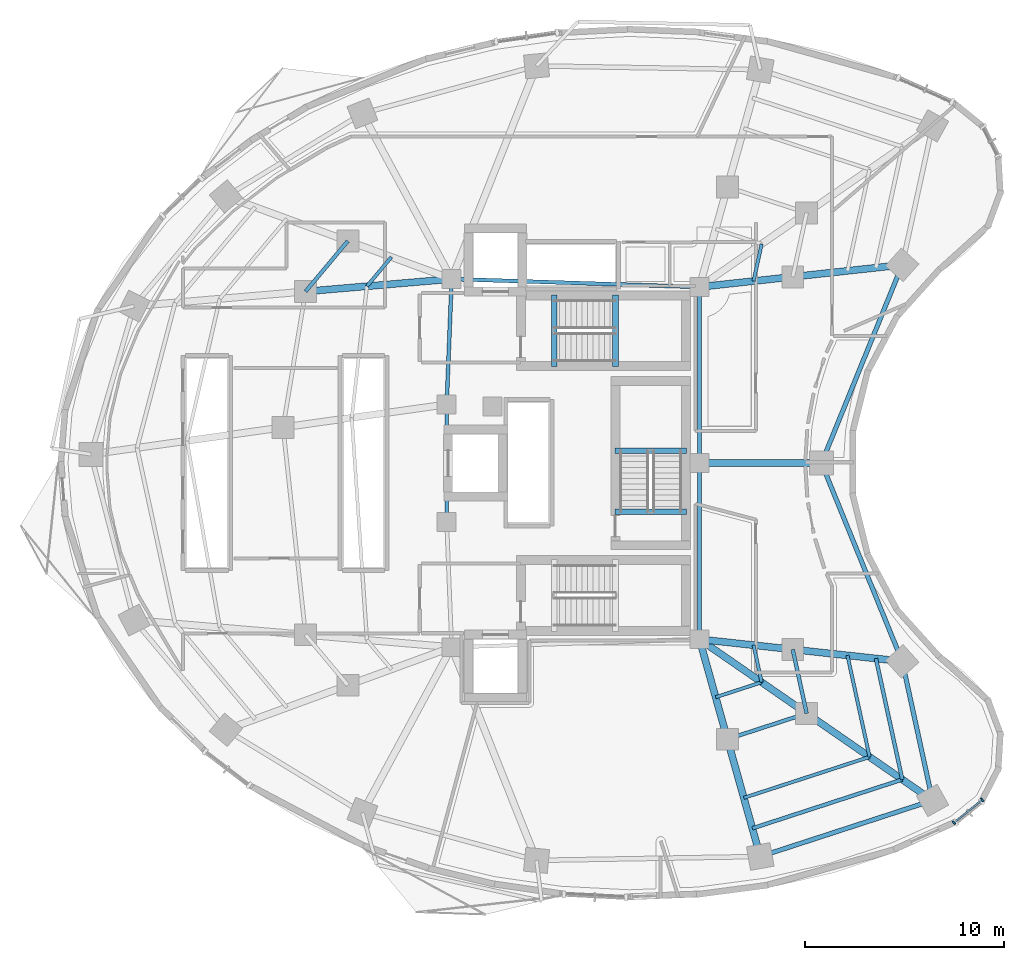
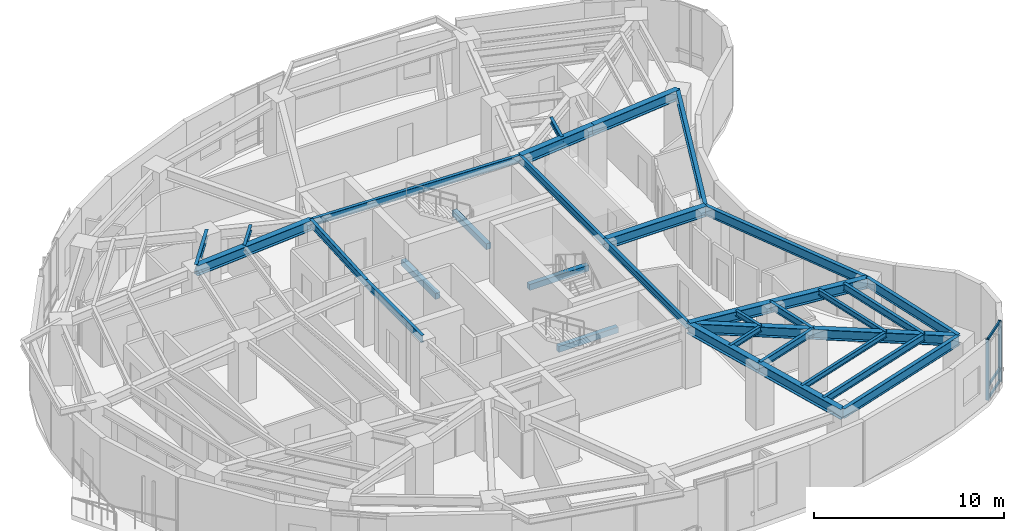
# One storey, part 3 of 13: 34 beams, 5 members, 1 element without a shape of its own.
"""IFC4 building model written with IfcOpenShell, lengths in metres."""

from ifc_helpers import new_model, si_unit, direction, frame, origin, origin_2d, place, context, subcontext, project, spatial, rectangle, i_section, extrude, material, layer, layer_set, material_profile, profile_set, type_object, element, aggregate, save


model = new_model("IFC4")

# Units and contexts
model_context = context("Model", 3, precision=1e-05, world=origin(), true_north=direction((0.0, 1.0)))
body_context = subcontext(model_context, "Body", "Model", "MODEL_VIEW")
ifc_project = project(units=[si_unit("LENGTHUNIT", "METRE"), si_unit("AREAUNIT", "SQUARE_METRE"), si_unit("VOLUMEUNIT", "CUBIC_METRE"), si_unit("PLANEANGLEUNIT", "RADIAN"), si_unit("MASSUNIT", "GRAM", prefix="KILO")], contexts=[model_context])

# Site, building, storey
site_placement = place(None, origin())
site = spatial("IfcSite", under=ifc_project, at=site_placement, CompositionType="ELEMENT")
building_placement = place(site_placement, origin())
building = spatial("IfcBuilding", under=site, at=building_placement, Name="Korentha Bioscience Tower", CompositionType="ELEMENT")
storey_placement = place(building_placement, frame((0.0, 0.0, 106.800048828125)))
storey = spatial("IfcBuildingStorey", under=building, at=storey_placement, Name="L24", CompositionType="ELEMENT", Elevation=106.800048828125)

# Beams
ifc_material_1 = material(Name="Concrete C50", Category="concrete")
ifc_material_profile_1 = material_profile(ifc_material_1, rectangle(XDim=0.280029296875, YDim=0.3798828125, at=origin_2d()), Name="Concrete C50")
ifc_profile_set_1 = profile_set([ifc_material_profile_1], Name="Concrete C50 (ST-HB380)")
beam_type_1 = type_object("IfcBeamType", Name="Concrete Stair Header Beam RC 280x380", PredefinedType="BEAM", material=ifc_profile_set_1)
for number, where, z_axis, x_axis, name in (
    (1, (30.25, 31.85009765625, -0.18994140625), (0.0, 1.0, 0.0), (-1.0, 0.0, 0.0), "L24 ST-1 Concrete Stair Header Beam"),
    (2, (33.330078125, 31.85009765625, 1.909912109375), (0.0, 1.0, 0.0), (-1.0, 0.0, 0.0), "L24 ST-1 Half-Landing Header Beam 1"),
    (3, (36.89990234375, 24.550048828125, -0.18994140625), (-1.0, 0.0, 0.0), (0.0, -1.0, 0.0), "L24 ST-3 Concrete Stair Header Beam"),
    (4, (36.89990234375, 27.6298828125, 1.909912109375), (-1.0, 0.0, 0.0), (0.0, -1.0, 0.0), "L24 ST-3 Half-Landing Header Beam 1"),
):
    element("IfcBeam", number, at=place(storey_placement, frame(where, z_axis=z_axis, x_axis=x_axis)), inside=storey, type_object=beam_type_1, Name=name, PredefinedType="BEAM", context=body_context, shape_type="SweptSolid", body=[
        extrude(rectangle(XDim=0.280029296875, YDim=0.3798828125, at=origin_2d()), origin(), (0.0, 0.0, 1.0), 3.599853515625),
    ])
ifc_material_2 = material(Name="Steel S355", Category="steel")
ifc_material_profile_2 = material_profile(ifc_material_2, i_section(OverallWidth=0.18994140625, OverallDepth=0.45703125, WebThickness=0.009033203125, FlangeThickness=0.014404296875, at=origin_2d()), Name="Steel S355")
ifc_profile_set_2 = profile_set([ifc_material_profile_2], Name="Steel S355 (MB-460)")
beam_type_2 = type_object("IfcBeamType", Name="Mid-Ring Tie Girder W460x74", PredefinedType="BEAM", material=ifc_profile_set_2)
beam_1_placement = place(storey_placement, frame((19.882568359375, 38.158935546875, 3.67138671875), z_axis=(-0.642121371708, -0.766602989817, 0.0), x_axis=(0.766602989817, -0.642121371708, 0.0)))
element("IfcBeam", 5, at=beam_1_placement, inside=storey, type_object=beam_type_2, Name="L24 Mid-Ring Tie Girder 05", PredefinedType="BEAM", context=body_context, shape_type="SweptSolid", body=[
    extrude(i_section(OverallWidth=0.18994140625, OverallDepth=0.45703125, WebThickness=0.009033203125, FlangeThickness=0.014404296875, at=origin_2d()), origin(), (0.0, 0.0, 1.0), 3.306640625),
])
beam_2_placement = place(storey_placement, frame((38.954833984375, 13.129150390625, 3.67138671875), z_axis=(0.95087582253, 0.309572560361, 0.0), x_axis=(-0.309572560361, 0.95087582253, 0.0)))
element("IfcBeam", 6, at=beam_2_placement, inside=storey, type_object=beam_type_2, Name="L24 Mid-Ring Tie Girder 12", PredefinedType="BEAM", context=body_context, shape_type="SweptSolid", body=[
    extrude(i_section(OverallWidth=0.18994140625, OverallDepth=0.45703125, WebThickness=0.009033203125, FlangeThickness=0.014404296875, at=origin_2d()), origin(), (0.0, 0.0, 1.0), 4.186767578125),
])
beam_3_placement = place(storey_placement, frame((42.93603515625, 14.42529296875, 3.67138671875), z_axis=(-0.212928773299, 0.977067724112, 0.0), x_axis=(-0.977067724112, -0.212928773299, 0.0)))
element("IfcBeam", 7, at=beam_3_placement, inside=storey, type_object=beam_type_2, Name="L24 Mid-Ring Tie Girder 13", PredefinedType="BEAM", context=body_context, shape_type="SweptSolid", body=[
    extrude(i_section(OverallWidth=0.18994140625, OverallDepth=0.45703125, WebThickness=0.009033203125, FlangeThickness=0.014404296875, at=origin_2d()), origin(), (0.0, 0.0, 1.0), 3.28955078125),
])
beam_4_placement = place(storey_placement, frame((37.550048828125, 35.85009765625, 3.67138671875), z_axis=(-0.999484526071, 0.032104238723, 0.0), x_axis=(-0.032104238723, -0.999484526071, 0.0)))
element("IfcBeam", 8, at=beam_4_placement, inside=storey, type_object=beam_type_2, Name="L24 Core Ring Tie Girder 01", PredefinedType="BEAM", context=body_context, shape_type="SweptSolid", body=[
    extrude(i_section(OverallWidth=0.18994140625, OverallDepth=0.45703125, WebThickness=0.009033203125, FlangeThickness=0.014404296875, at=origin_2d()), origin(), (0.0, 0.0, 1.0), 12.456298828125),
])
beam_5_placement = place(storey_placement, frame((25.10009765625, 36.25, 3.67138671875), z_axis=(-0.039651025576, -0.999213588864, 0.0), x_axis=(0.999213588864, -0.039651025576, 0.0)))
element("IfcBeam", 9, at=beam_5_placement, inside=storey, type_object=beam_type_2, Name="L24 Core Ring Tie Girder 02", PredefinedType="BEAM", context=body_context, shape_type="SweptSolid", body=[
    extrude(i_section(OverallWidth=0.18994140625, OverallDepth=0.45703125, WebThickness=0.009033203125, FlangeThickness=0.014404296875, at=origin_2d()), origin(), (0.0, 0.0, 1.0), 6.304931640625),
])
beam_6_placement = place(storey_placement, frame((24.85009765625, 29.949951171875, 3.67138671875), z_axis=(0.0, -1.0, 0.0), x_axis=(1.0, 0.0, 0.0)))
element("IfcBeam", 10, at=beam_6_placement, inside=storey, type_object=beam_type_2, Name="L24 Core Ring Tie Girder 03", PredefinedType="BEAM", context=body_context, shape_type="SweptSolid", body=[
    extrude(i_section(OverallWidth=0.18994140625, OverallDepth=0.45703125, WebThickness=0.009033203125, FlangeThickness=0.014404296875, at=origin_2d()), origin(), (0.0, 0.0, 1.0), 5.89990234375),
])
for number, where, z_axis, x_axis, name in (
    (11, (37.550048828125, 18.14990234375, 3.67138671875), (0.0, 1.0, 0.0), (-1.0, 0.0, 0.0), "L24 Core Ring Tie Girder 06"),
    (12, (37.550048828125, 27.0, 3.67138671875), (0.0, 1.0, 0.0), (-1.0, 0.0, 0.0), "L24 Core Ring Tie Girder 07"),
):
    element("IfcBeam", number, at=place(storey_placement, frame(where, z_axis=z_axis, x_axis=x_axis)), inside=storey, type_object=beam_type_2, Name=name, PredefinedType="BEAM", context=body_context, shape_type="SweptSolid", body=[
        extrude(i_section(OverallWidth=0.18994140625, OverallDepth=0.45703125, WebThickness=0.009033203125, FlangeThickness=0.014404296875, at=origin_2d()), origin(), (0.0, 0.0, 1.0), 8.85009765625),
    ])

# Curtain wall, members
ifc_material_3 = material(Name="Thermally Broken Aluminium Frame", Category="aluminium")
ifc_layer = layer(ifc_material_3, 0.219970703125, Name="Thermally Broken Aluminium Frame")
ifc_layer_set = layer_set([ifc_layer], Name="Thermally Broken Aluminium Frame (CW-T2)")
curtain_wall_type = type_object("IfcCurtainWallType", Name="Solar-Screened Lab Unitised Curtain Wall CW-T2", PredefinedType="USERDEFINED", material=ifc_layer_set)
curtain_wall_placement = place(storey_placement, origin())
curtain_wall = element("IfcCurtainWall", 13, at=curtain_wall_placement, inside=storey, type_object=curtain_wall_type, Name="L24 Curtain Wall 37", ObjectType="UNITISED", PredefinedType="USERDEFINED")
ifc_material_4 = material(Name="Anodised Aluminium 6063-T6", Category="aluminium")
ifc_material_profile_3 = material_profile(ifc_material_4, rectangle(XDim=0.090087890625, YDim=0.199951171875, at=origin_2d()), Name="Anodised Aluminium 6063-T6")
ifc_profile_set_3 = profile_set([ifc_material_profile_3], Name="Anodised Aluminium 6063-T6 (CW-MUL)")
member_type_1 = type_object("IfcMemberType", Name="Mullion RECT 90x200", PredefinedType="MULLION", material=ifc_profile_set_3)
member_1_placement = place(storey_placement, frame((50.337158203125, 8.931884765625, 0.0), z_axis=(0.0, 0.0, 1.0), x_axis=(0.777315301098, 0.629111216463, 0.0)))
member_1 = element("IfcMember", 14, at=member_1_placement, type_object=member_type_1, Name="CW-L24-37 Mullion 1", PredefinedType="MULLION", context=body_context, shape_type="SweptSolid", body=[
    extrude(rectangle(XDim=0.090087890625, YDim=0.199951171875, at=origin_2d()), origin(), (0.0, 0.0, 1.0), 3.89990234375),
])
member_2_placement = place(storey_placement, frame((51.7578125, 10.08154296875, 0.0), z_axis=(0.0, 0.0, 1.0), x_axis=(0.777315301098, 0.629111216463, 0.0)))
member_2 = element("IfcMember", 15, at=member_2_placement, type_object=member_type_1, Name="CW-L24-37 Mullion 2", PredefinedType="MULLION", context=body_context, shape_type="SweptSolid", body=[
    extrude(rectangle(XDim=0.090087890625, YDim=0.199951171875, at=origin_2d()), origin(), (0.0, 0.0, 1.0), 3.89990234375),
])

# Beams
ifc_material_profile_4 = material_profile(ifc_material_2, i_section(OverallWidth=0.22802734375, OverallDepth=0.60791015625, WebThickness=0.01123046875, FlangeThickness=0.017333984375, at=origin_2d()), Name="Steel S355")
ifc_profile_set_4 = profile_set([ifc_material_profile_4], Name="Steel S355 (SB-610)")
beam_type_3 = type_object("IfcBeamType", Name="Perimeter Ring Spandrel Girder W610x113", PredefinedType="SPANDREL", material=ifc_profile_set_4)
beam_7_placement = place(storey_placement, frame((40.604248046875, 7.235107421875, 3.595947265625), z_axis=(0.950867758759, 0.309597327755, 0.0), x_axis=(-0.309597327755, 0.950867758759, 0.0)))
element("IfcBeam", 16, at=beam_7_placement, inside=storey, type_object=beam_type_3, Name="L24 Perimeter Spandrel Girder 12", PredefinedType="SPANDREL", context=body_context, shape_type="SweptSolid", body=[
    extrude(i_section(OverallWidth=0.22802734375, OverallDepth=0.60791015625, WebThickness=0.01123046875, FlangeThickness=0.017333984375, at=origin_2d()), origin(), (0.0, 0.0, 1.0), 9.101806640625),
])
beam_8_placement = place(storey_placement, frame((49.2587890625, 10.052978515625, 3.595947265625), z_axis=(-0.212927102256, 0.977068088275, 0.0), x_axis=(-0.977068088275, -0.212927102256, 0.0)))
element("IfcBeam", 17, at=beam_8_placement, inside=storey, type_object=beam_type_3, Name="L24 Perimeter Spandrel Girder 13", PredefinedType="SPANDREL", context=body_context, shape_type="SweptSolid", body=[
    extrude(i_section(OverallWidth=0.22802734375, OverallDepth=0.60791015625, WebThickness=0.01123046875, FlangeThickness=0.017333984375, at=origin_2d()), origin(), (0.0, 0.0, 1.0), 7.1513671875),
])
for number, where, z_axis, x_axis, name in (
    (18, (47.736083984375, 17.040283203125, 3.595947265625), (-0.37709856037, 0.926173134876, 0.0), (-0.926173134876, -0.37709856037, 0.0), "L24 Perimeter Spandrel Girder 14"),
    (19, (43.680908203125, 27.0, 3.595947265625), (0.37709856037, 0.926173134876, 0.0), (-0.926173134876, 0.37709856037, 0.0), "L24 Perimeter Spandrel Girder 15"),
):
    element("IfcBeam", number, at=place(storey_placement, frame(where, z_axis=z_axis, x_axis=x_axis)), inside=storey, type_object=beam_type_3, Name=name, PredefinedType="SPANDREL", context=body_context, shape_type="SweptSolid", body=[
        extrude(i_section(OverallWidth=0.22802734375, OverallDepth=0.60791015625, WebThickness=0.01123046875, FlangeThickness=0.017333984375, at=origin_2d()), origin(), (0.0, 0.0, 1.0), 10.753662109375),
    ])
ifc_material_profile_5 = material_profile(ifc_material_2, i_section(OverallWidth=0.18994140625, OverallDepth=0.45703125, WebThickness=0.009033203125, FlangeThickness=0.014404296875, at=origin_2d()), Name="Steel S355")
ifc_profile_set_5 = profile_set([ifc_material_profile_5], Name="Steel S355 (RB-460)")
beam_type_4 = type_object("IfcBeamType", Name="Radial Laboratory Beam W460x74", PredefinedType="BEAM", material=ifc_profile_set_5)
beam_9_placement = place(storey_placement, frame((40.20849609375, 8.64990234375, 3.67138671875), z_axis=(0.950866789802, 0.3096003037, 0.0), x_axis=(-0.3096003037, 0.950866789802, 0.0)))
element("IfcBeam", 20, at=beam_9_placement, inside=storey, type_object=beam_type_4, Name="L24 Secondary Floor Beam JSTO-12", PredefinedType="BEAM", context=body_context, shape_type="SweptSolid", body=[
    extrude(i_section(OverallWidth=0.18994140625, OverallDepth=0.45703125, WebThickness=0.009033203125, FlangeThickness=0.014404296875, at=origin_2d()), origin(), (0.0, 0.0, 1.0), 7.921875),
])
beam_10_placement = place(storey_placement, frame((47.7412109375, 11.1025390625, 3.67138671875), z_axis=(-0.21290837934, 0.977072168269, 0.0), x_axis=(-0.977072168269, -0.21290837934, 0.0)))
element("IfcBeam", 21, at=beam_10_placement, inside=storey, type_object=beam_type_4, Name="L24 Secondary Floor Beam JSTO-13", PredefinedType="BEAM", context=body_context, shape_type="SweptSolid", body=[
    extrude(i_section(OverallWidth=0.18994140625, OverallDepth=0.45703125, WebThickness=0.009033203125, FlangeThickness=0.014404296875, at=origin_2d()), origin(), (0.0, 0.0, 1.0), 6.224365234375),
])
ifc_material_profile_6 = material_profile(ifc_material_2, i_section(OverallWidth=0.35009765625, OverallDepth=0.64990234375, WebThickness=0.01611328125, FlangeThickness=0.02490234375, at=origin_2d()), Name="Steel S355")
ifc_profile_set_6 = profile_set([ifc_material_profile_6], Name="Steel S355 (RB-650)")
beam_type_5 = type_object("IfcBeamType", Name="Radial Laboratory Girder CVS 650x208", PredefinedType="BEAM", material=ifc_profile_set_6)
beam_11_placement = place(storey_placement, frame((25.10009765625, 36.25, 3.574951171875), z_axis=(-0.996383934197, -0.084965026183, 0.0), x_axis=(0.084965026183, -0.996383934197, 0.0)))
element("IfcBeam", 22, at=beam_11_placement, inside=storey, type_object=beam_type_5, Name="L24 Inner Radial Girder 06", PredefinedType="BEAM", context=body_context, shape_type="SweptSolid", body=[
    extrude(i_section(OverallWidth=0.35009765625, OverallDepth=0.64990234375, WebThickness=0.01611328125, FlangeThickness=0.02490234375, at=origin_2d()), origin(), (0.0, 0.0, 1.0), 7.367431640625),
])
beam_12_placement = place(storey_placement, frame((37.550048828125, 18.14990234375, 3.574951171875), z_axis=(0.269447542125, -0.96301506844, 0.0), x_axis=(0.96301506844, 0.269447542125, 0.0)))
element("IfcBeam", 23, at=beam_12_placement, inside=storey, type_object=beam_type_5, Name="L24 Inner Radial Girder 12", PredefinedType="BEAM", context=body_context, shape_type="SweptSolid", body=[
    extrude(i_section(OverallWidth=0.35009765625, OverallDepth=0.64990234375, WebThickness=0.01611328125, FlangeThickness=0.02490234375, at=origin_2d()), origin(), (0.0, 0.0, 1.0), 5.213623046875),
])
beam_13_placement = place(storey_placement, frame((38.954833984375, 13.129150390625, 3.574951171875), z_axis=(0.269490843458, -0.963002951861, 0.0), x_axis=(0.963002951861, 0.269490843458, 0.0)))
element("IfcBeam", 24, at=beam_13_placement, inside=storey, type_object=beam_type_5, Name="L24 Outer Radial Girder 12", PredefinedType="BEAM", context=body_context, shape_type="SweptSolid", body=[
    extrude(i_section(OverallWidth=0.35009765625, OverallDepth=0.64990234375, WebThickness=0.01611328125, FlangeThickness=0.02490234375, at=origin_2d()), origin(), (0.0, 0.0, 1.0), 6.120361328125),
])
beam_14_placement = place(storey_placement, frame((37.550048828125, 18.14990234375, 3.574951171875), z_axis=(0.822488699387, -0.568781451333, 0.0), x_axis=(0.568781451333, 0.822488699387, 0.0)))
element("IfcBeam", 25, at=beam_14_placement, inside=storey, type_object=beam_type_5, Name="L24 Inner Radial Girder 13", PredefinedType="BEAM", context=body_context, shape_type="SweptSolid", body=[
    extrude(i_section(OverallWidth=0.35009765625, OverallDepth=0.64990234375, WebThickness=0.01611328125, FlangeThickness=0.02490234375, at=origin_2d()), origin(), (0.0, 0.0, 1.0), 6.54833984375),
])
beam_15_placement = place(storey_placement, frame((42.93603515625, 14.42529296875, 3.574951171875), z_axis=(0.822495056204, -0.568772258922, 0.0), x_axis=(0.568772258922, 0.822495056204, 0.0)))
element("IfcBeam", 26, at=beam_15_placement, inside=storey, type_object=beam_type_5, Name="L24 Outer Radial Girder 13", PredefinedType="BEAM", context=body_context, shape_type="SweptSolid", body=[
    extrude(i_section(OverallWidth=0.35009765625, OverallDepth=0.64990234375, WebThickness=0.01611328125, FlangeThickness=0.02490234375, at=origin_2d()), origin(), (0.0, 0.0, 1.0), 7.687255859375),
])
beam_16_placement = place(storey_placement, frame((37.550048828125, 18.14990234375, 3.574951171875), z_axis=(0.994117092476, -0.108310694058, 0.0), x_axis=(0.108310694058, 0.994117092476, 0.0)))
element("IfcBeam", 27, at=beam_16_placement, inside=storey, type_object=beam_type_5, Name="L24 Inner Radial Girder 14", PredefinedType="BEAM", context=body_context, shape_type="SweptSolid", body=[
    extrude(i_section(OverallWidth=0.35009765625, OverallDepth=0.64990234375, WebThickness=0.01611328125, FlangeThickness=0.02490234375, at=origin_2d()), origin(), (0.0, 0.0, 1.0), 4.71337890625),
])
beam_17_placement = place(storey_placement, frame((42.235595703125, 17.639404296875, 3.574951171875), z_axis=(0.994120325557, -0.108281015487, 0.0), x_axis=(0.108281015487, 0.994120325557, 0.0)))
element("IfcBeam", 28, at=beam_17_placement, inside=storey, type_object=beam_type_5, Name="L24 Outer Radial Girder 14", PredefinedType="BEAM", context=body_context, shape_type="SweptSolid", body=[
    extrude(i_section(OverallWidth=0.35009765625, OverallDepth=0.64990234375, WebThickness=0.01611328125, FlangeThickness=0.02490234375, at=origin_2d()), origin(), (0.0, 0.0, 1.0), 5.532958984375),
])
beam_18_placement = place(storey_placement, frame((37.550048828125, 27.0, 3.574951171875), z_axis=(1.0, 0.0, 0.0), x_axis=(0.0, 1.0, 0.0)))
element("IfcBeam", 29, at=beam_18_placement, inside=storey, type_object=beam_type_5, Name="L24 Radial Girder 15", PredefinedType="BEAM", context=body_context, shape_type="SweptSolid", body=[
    extrude(i_section(OverallWidth=0.35009765625, OverallDepth=0.64990234375, WebThickness=0.01611328125, FlangeThickness=0.02490234375, at=origin_2d()), origin(), (0.0, 0.0, 1.0), 6.130859375),
])
beam_19_placement = place(storey_placement, frame((37.550048828125, 35.85009765625, 3.574951171875), z_axis=(0.994117092476, 0.108310694058, 0.0), x_axis=(-0.108310694058, 0.994117092476, 0.0)))
element("IfcBeam", 30, at=beam_19_placement, inside=storey, type_object=beam_type_5, Name="L24 Inner Radial Girder 16", PredefinedType="BEAM", context=body_context, shape_type="SweptSolid", body=[
    extrude(i_section(OverallWidth=0.35009765625, OverallDepth=0.64990234375, WebThickness=0.01611328125, FlangeThickness=0.02490234375, at=origin_2d()), origin(), (0.0, 0.0, 1.0), 4.71337890625),
])
beam_20_placement = place(storey_placement, frame((42.235595703125, 36.360595703125, 3.574951171875), z_axis=(0.994120325557, 0.108281015487, 0.0), x_axis=(-0.108281015487, 0.994120325557, 0.0)))
element("IfcBeam", 31, at=beam_20_placement, inside=storey, type_object=beam_type_5, Name="L24 Outer Radial Girder 16", PredefinedType="BEAM", context=body_context, shape_type="SweptSolid", body=[
    extrude(i_section(OverallWidth=0.35009765625, OverallDepth=0.64990234375, WebThickness=0.01611328125, FlangeThickness=0.02490234375, at=origin_2d()), origin(), (0.0, 0.0, 1.0), 5.532958984375),
])
ifc_material_profile_7 = material_profile(ifc_material_2, i_section(OverallWidth=0.1708984375, OverallDepth=0.35498046875, WebThickness=0.007080078125, FlangeThickness=0.01171875, at=origin_2d()), Name="Steel S355")
ifc_profile_set_7 = profile_set([ifc_material_profile_7], Name="Steel S355 (JB-360)")
beam_type_6 = type_object("IfcBeamType", Name="Secondary Laboratory Joist W360x51", PredefinedType="JOIST", material=ifc_profile_set_7)
beam_21_placement = place(storey_placement, frame((22.073974609375, 37.357177734375, 3.722412109375), z_axis=(-0.64218549873, -0.766549271229, 0.0), x_axis=(0.766549271229, -0.64218549873, 0.0)))
element("IfcBeam", 32, at=beam_21_placement, inside=storey, type_object=beam_type_6, Name="L24 Inner Bay Joist 05", PredefinedType="JOIST", context=body_context, shape_type="SweptSolid", body=[
    extrude(i_section(OverallWidth=0.1708984375, OverallDepth=0.35498046875, WebThickness=0.007080078125, FlangeThickness=0.01171875, at=origin_2d()), origin(), (0.0, 0.0, 1.0), 1.91796875),
])
beam_22_placement = place(storey_placement, frame((39.779541015625, 10.18212890625, 3.722412109375), z_axis=(0.950864890997, 0.309606135387, 0.0), x_axis=(-0.309606135387, 0.950864890997, 0.0)))
element("IfcBeam", 33, at=beam_22_placement, inside=storey, type_object=beam_type_6, Name="L24 Secondary Floor Beam JST-12", PredefinedType="JOIST", context=body_context, shape_type="SweptSolid", body=[
    extrude(i_section(OverallWidth=0.1708984375, OverallDepth=0.35498046875, WebThickness=0.007080078125, FlangeThickness=0.01171875, at=origin_2d()), origin(), (0.0, 0.0, 1.0), 6.644287109375),
])
beam_23_placement = place(storey_placement, frame((38.36474609375, 15.23779296875, 3.722412109375), z_axis=(0.950852158547, 0.30964523666, 0.0), x_axis=(-0.30964523666, 0.950852158547, 0.0)))
element("IfcBeam", 34, at=beam_23_placement, inside=storey, type_object=beam_type_6, Name="L24 Inner Bay Joist 12", PredefinedType="JOIST", context=body_context, shape_type="SweptSolid", body=[
    extrude(i_section(OverallWidth=0.1708984375, OverallDepth=0.35498046875, WebThickness=0.007080078125, FlangeThickness=0.01171875, at=origin_2d()), origin(), (0.0, 0.0, 1.0), 2.428466796875),
])
beam_24_placement = place(storey_placement, frame((46.097412109375, 12.2392578125, 3.722412109375), z_axis=(-0.212932493609, 0.977066913351, 0.0), x_axis=(-0.977066913351, -0.212932493609, 0.0)))
element("IfcBeam", 35, at=beam_24_placement, inside=storey, type_object=beam_type_6, Name="L24 Secondary Floor Beam JST-13", PredefinedType="JOIST", context=body_context, shape_type="SweptSolid", body=[
    extrude(i_section(OverallWidth=0.1708984375, OverallDepth=0.35498046875, WebThickness=0.007080078125, FlangeThickness=0.01171875, at=origin_2d()), origin(), (0.0, 0.0, 1.0), 5.22021484375),
])
for number, where, z_axis, x_axis, name in (
    (36, (40.673828125, 15.98974609375, 3.722412109375), (-0.212918344001, 0.977069996872, 0.0), (-0.977069996872, -0.212918344001, 0.0), "L24 Inner Bay Joist 13"),
    (37, (40.267578125, 36.14599609375, 3.722412109375), (0.212918344001, 0.977069996872, 0.0), (-0.977069996872, 0.212918344001, 0.0), "L24 Inner Bay Joist 16"),
):
    element("IfcBeam", number, at=place(storey_placement, frame(where, z_axis=z_axis, x_axis=x_axis)), inside=storey, type_object=beam_type_6, Name=name, PredefinedType="JOIST", context=body_context, shape_type="SweptSolid", body=[
        extrude(i_section(OverallWidth=0.1708984375, OverallDepth=0.35498046875, WebThickness=0.007080078125, FlangeThickness=0.01171875, at=origin_2d()), origin(), (0.0, 0.0, 1.0), 1.907958984375),
    ])

# Member
ifc_material_profile_8 = material_profile(ifc_material_4, rectangle(XDim=0.090087890625, YDim=0.159912109375, at=origin_2d()), Name="Anodised Aluminium 6063-T6")
ifc_profile_set_8 = profile_set([ifc_material_profile_8], Name="Anodised Aluminium 6063-T6 (CW-TRN)")
member_type_2 = type_object("IfcMemberType", Name="Transom RECT 90x160", PredefinedType="USERDEFINED", material=ifc_profile_set_8)
member_3_placement = place(storey_placement, frame((50.3720703125, 8.960205078125, 0.044921875), z_axis=(0.777333214738, 0.629089082137, 0.0), x_axis=(-0.629089082137, 0.777333214738, 0.0)))
member_3 = element("IfcMember", 38, at=member_3_placement, type_object=member_type_2, Name="CW-L24-37 Bay 1 Transom 1", ObjectType="TRANSOM", PredefinedType="USERDEFINED", context=body_context, shape_type="SweptSolid", body=[
    extrude(rectangle(XDim=0.090087890625, YDim=0.159912109375, at=origin_2d()), origin(), (0.0, 0.0, 1.0), 1.737548828125),
])

member_4_placement = place(storey_placement, frame((50.3720703125, 8.960205078125, 0.849853515625), z_axis=(0.777333214738, 0.629089082137, 0.0), x_axis=(-0.629089082137, 0.777333214738, 0.0)))
member_4 = element("IfcMember", 39, at=member_4_placement, type_object=member_type_2, Name="CW-L24-37 Bay 1 Transom 2", ObjectType="TRANSOM", PredefinedType="USERDEFINED", context=body_context, shape_type="SweptSolid", body=[
    extrude(rectangle(XDim=0.090087890625, YDim=0.159912109375, at=origin_2d()), origin(), (0.0, 0.0, 1.0), 1.737548828125),
])

member_5_placement = place(storey_placement, frame((50.3720703125, 8.960205078125, 3.85498046875), z_axis=(0.777333214738, 0.629089082137, 0.0), x_axis=(-0.629089082137, 0.777333214738, 0.0)))
member_5 = element("IfcMember", 40, at=member_5_placement, type_object=member_type_2, Name="CW-L24-37 Bay 1 Transom 3", ObjectType="TRANSOM", PredefinedType="USERDEFINED", context=body_context, shape_type="SweptSolid", body=[
    extrude(rectangle(XDim=0.090087890625, YDim=0.159912109375, at=origin_2d()), origin(), (0.0, 0.0, 1.0), 1.737548828125),
])

aggregate(curtain_wall, [member_1, member_2, member_3, member_4, member_5])

save(model, "model.ifc")
